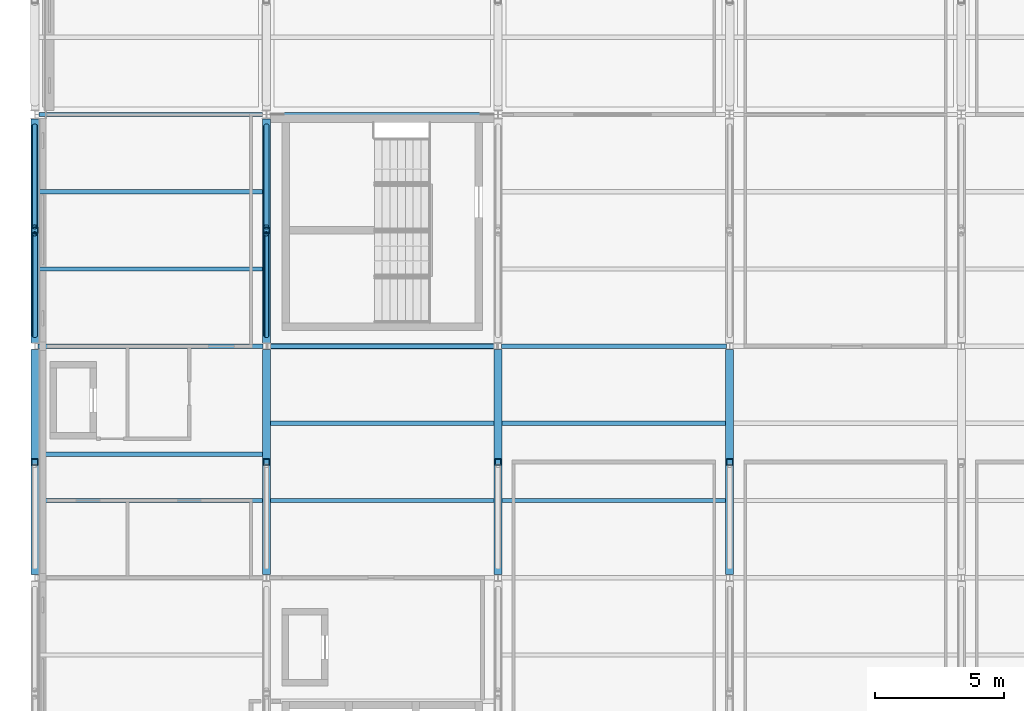
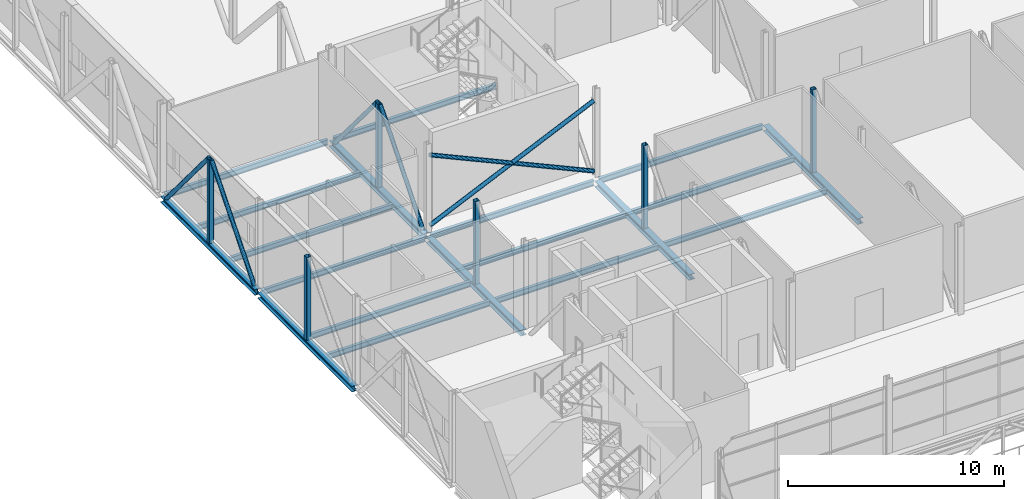
# One storey, part 57 of 94: 19 beams, 12 members.
"""IFC4 building model written with IfcOpenShell, lengths in metres."""

from ifc_helpers import new_model, si_unit, direction, frame, origin, origin_2d, place, context, subcontext, project, spatial, hollow_rectangle, hollow_circle, i_section, extrude, material, material_profile, profile_set, type_object, element, save


model = new_model("IFC4")

# Units and contexts
model_context = context("Model", 3, precision=1e-05, world=origin(), true_north=direction((0.0, 1.0)))
body_context = subcontext(model_context, "Body", "Model", "MODEL_VIEW")
ifc_project = project(units=[si_unit("LENGTHUNIT", "METRE"), si_unit("AREAUNIT", "SQUARE_METRE"), si_unit("VOLUMEUNIT", "CUBIC_METRE"), si_unit("PLANEANGLEUNIT", "RADIAN"), si_unit("MASSUNIT", "GRAM", prefix="KILO")], contexts=[model_context])

# Site, building, storey
site_placement = place(None, origin())
site = spatial("IfcSite", under=ifc_project, at=site_placement, CompositionType="ELEMENT")
building_placement = place(site_placement, origin())
building = spatial("IfcBuilding", under=site, at=building_placement, Name="Shorebreak Coast Museum", CompositionType="ELEMENT")
storey_placement = place(building_placement, frame((0.0, 0.0, 31.0)))
storey = spatial("IfcBuildingStorey", under=building, at=storey_placement, Name="L05", CompositionType="ELEMENT", Elevation=31.0)

# Beams
ifc_material_1 = material(Name="Steel Grade 300", Category="steel")
ifc_material_profile_1 = material_profile(ifc_material_1, i_section(OverallWidth=0.166015625, OverallDepth=0.30712890625, WebThickness=0.006591796875, FlangeThickness=0.01171875, FilletRadius=0.011474609375, at=origin_2d()), Name="310UB46.2")
ifc_profile_set_1 = profile_set([ifc_material_profile_1], Name="Steel Grade 300")
beam_type_1 = type_object("IfcBeamType", Name="Floor girder east-west 310UB46.2", PredefinedType="BEAM", material=ifc_profile_set_1)
for number, where, z_axis, x_axis, name in (
    (1, (54.1279296875, 108.0, -0.32861328125), (1.0, 0.0, 0.0), (0.0, 1.0, 0.0), "Floor girder east-west L05 7N"),
    (2, (63.1279296875, 108.0, -0.32861328125), (1.0, 0.0, 0.0), (0.0, 1.0, 0.0), "Floor girder east-west L05 8N"),
    (3, (72.1279296875, 108.0, -0.32861328125), (1.0, 0.0, 0.0), (0.0, 1.0, 0.0), "Floor girder east-west L05 9N"),
):
    element("IfcBeam", number, at=place(storey_placement, frame(where, z_axis=z_axis, x_axis=x_axis)), inside=storey, type_object=beam_type_1, Name=name, PredefinedType="BEAM", context=body_context, shape_type="SweptSolid", body=[
        extrude(i_section(OverallWidth=0.166015625, OverallDepth=0.30712890625, WebThickness=0.006591796875, FlangeThickness=0.01171875, FilletRadius=0.011474609375, at=origin_2d()), origin(), (0.0, 0.0, 1.0), 8.744140625),
    ])
for number, where, z_axis, x_axis, name in (
    (4, (54.155517578125, 117.0, -0.32861328125), (1.0, 0.0, 0.0), (0.0, 1.0, 0.0), "Floor girder east-west L05 7P"),
    (5, (63.155517578125, 117.0, -0.32861328125), (1.0, 0.0, 0.0), (0.0, 1.0, 0.0), "Floor girder east-west L05 8P"),
):
    element("IfcBeam", number, at=place(storey_placement, frame(where, z_axis=z_axis, x_axis=x_axis)), inside=storey, type_object=beam_type_1, Name=name, PredefinedType="BEAM", context=body_context, shape_type="SweptSolid", body=[
        extrude(i_section(OverallWidth=0.166015625, OverallDepth=0.30712890625, WebThickness=0.006591796875, FlangeThickness=0.01171875, FilletRadius=0.011474609375, at=origin_2d()), origin(), (0.0, 0.0, 1.0), 8.68896484375),
    ])
ifc_material_2 = material(Name="Steel Grade 300", Category="steel")
ifc_material_profile_2 = material_profile(ifc_material_2, i_section(OverallWidth=0.1650390625, OverallDepth=0.303955078125, WebThickness=0.006103515625, FlangeThickness=0.01025390625, FilletRadius=0.011474609375, at=origin_2d()), Name="310UB40.4")
ifc_profile_set_2 = profile_set([ifc_material_profile_2], Name="Steel Grade 300")
beam_type_2 = type_object("IfcBeamType", Name="Floor joist 310UB40.4", PredefinedType="JOIST", material=ifc_profile_set_2)
for number, where, z_axis, x_axis, name in (
    (6, (54.155517578125, 102.0, -0.326904296875), (1.0, 0.0, 0.0), (0.0, 1.0, 0.0), "Floor joist L05 bay 7M at 3000 mm"),
    (7, (54.155517578125, 103.800048828125, -0.326904296875), (1.0, 0.0, 0.0), (0.0, 1.0, 0.0), "Floor joist L05 bay 7M at 4800 mm"),
    (8, (63.155517578125, 102.0, -0.326904296875), (1.0, 0.0, 0.0), (0.0, 1.0, 0.0), "Floor joist L05 bay 8M at 3000 mm"),
    (9, (63.155517578125, 105.0, -0.326904296875), (1.0, 0.0, 0.0), (0.0, 1.0, 0.0), "Floor joist L05 bay 8M at 6000 mm"),
    (10, (72.155517578125, 102.0, -0.326904296875), (1.0, 0.0, 0.0), (0.0, 1.0, 0.0), "Floor joist L05 bay 9M at 3000 mm"),
    (11, (72.155517578125, 105.0, -0.326904296875), (1.0, 0.0, 0.0), (0.0, 1.0, 0.0), "Floor joist L05 bay 9M at 6000 mm"),
    (12, (54.155517578125, 111.0, -0.326904296875), (1.0, 0.0, 0.0), (0.0, 1.0, 0.0), "Floor joist L05 bay 7N at 3000 mm"),
    (13, (54.155517578125, 114.0, -0.326904296875), (1.0, 0.0, 0.0), (0.0, 1.0, 0.0), "Floor joist L05 bay 7N at 6000 mm"),
):
    element("IfcBeam", number, at=place(storey_placement, frame(where, z_axis=z_axis, x_axis=x_axis)), inside=storey, type_object=beam_type_2, Name=name, PredefinedType="JOIST", context=body_context, shape_type="SweptSolid", body=[
        extrude(i_section(OverallWidth=0.1650390625, OverallDepth=0.303955078125, WebThickness=0.006103515625, FlangeThickness=0.01025390625, FilletRadius=0.011474609375, at=origin_2d()), origin(), (0.0, 0.0, 1.0), 8.68896484375),
    ])
ifc_material_3 = material(Name="Steel Grade 300", Category="steel")
ifc_material_profile_3 = material_profile(ifc_material_3, i_section(OverallWidth=0.31103515625, OverallDepth=0.3271484375, WebThickness=0.015625, FlangeThickness=0.02490234375, FilletRadius=0.0166015625, at=origin_2d()), Name="310UC158")
ifc_profile_set_3 = profile_set([ifc_material_profile_3], Name="Steel Grade 300")
beam_type_3 = type_object("IfcBeamType", Name="Transfer truss chord 310UC158", PredefinedType="BEAM", material=ifc_profile_set_3)
beam_1_placement = place(storey_placement, frame((54.0, 99.1298828125, -0.338623046875), z_axis=(0.0, 1.0, 0.0), x_axis=(-1.0, 0.0, 0.0)))
element("IfcBeam", 14, at=beam_1_placement, inside=storey, type_object=beam_type_3, Name="Transfer truss TR1 chord C02", PredefinedType="BEAM", context=body_context, shape_type="SweptSolid", body=[
    extrude(i_section(OverallWidth=0.31103515625, OverallDepth=0.3271484375, WebThickness=0.015625, FlangeThickness=0.02490234375, FilletRadius=0.0166015625, at=origin_2d()), origin(), (0.0, 0.0, 1.0), 8.740234375),
])
beam_2_placement = place(storey_placement, frame((54.0, 108.1298828125, -0.338623046875), z_axis=(0.0, 1.0, 0.0), x_axis=(-1.0, 0.0, 0.0)))
element("IfcBeam", 15, at=beam_2_placement, inside=storey, type_object=beam_type_3, Name="Transfer truss TR1 chord C03", PredefinedType="BEAM", context=body_context, shape_type="SweptSolid", body=[
    extrude(i_section(OverallWidth=0.31103515625, OverallDepth=0.3271484375, WebThickness=0.015625, FlangeThickness=0.02490234375, FilletRadius=0.0166015625, at=origin_2d()), origin(), (0.0, 0.0, 1.0), 8.70654296875),
])
beam_3_placement = place(storey_placement, frame((63.0, 99.1298828125, -0.338623046875), z_axis=(0.0, 1.0, 0.0), x_axis=(-1.0, 0.0, 0.0)))
element("IfcBeam", 16, at=beam_3_placement, inside=storey, type_object=beam_type_3, Name="Transfer truss TR2 chord C02", PredefinedType="BEAM", context=body_context, shape_type="SweptSolid", body=[
    extrude(i_section(OverallWidth=0.31103515625, OverallDepth=0.3271484375, WebThickness=0.015625, FlangeThickness=0.02490234375, FilletRadius=0.0166015625, at=origin_2d()), origin(), (0.0, 0.0, 1.0), 8.740234375),
])
beam_4_placement = place(storey_placement, frame((63.0, 108.1298828125, -0.338623046875), z_axis=(0.0, 1.0, 0.0), x_axis=(-1.0, 0.0, 0.0)))
element("IfcBeam", 17, at=beam_4_placement, inside=storey, type_object=beam_type_3, Name="Transfer truss TR2 chord C03", PredefinedType="BEAM", context=body_context, shape_type="SweptSolid", body=[
    extrude(i_section(OverallWidth=0.31103515625, OverallDepth=0.3271484375, WebThickness=0.015625, FlangeThickness=0.02490234375, FilletRadius=0.0166015625, at=origin_2d()), origin(), (0.0, 0.0, 1.0), 8.70654296875),
])
for number, where, z_axis, x_axis, name in (
    (18, (72.0, 99.1298828125, -0.338623046875), (0.0, 1.0, 0.0), (-1.0, 0.0, 0.0), "Transfer truss TR3 chord C02"),
    (19, (81.0, 99.1298828125, -0.338623046875), (0.0, 1.0, 0.0), (-1.0, 0.0, 0.0), "Transfer truss TR4 chord C02"),
):
    element("IfcBeam", number, at=place(storey_placement, frame(where, z_axis=z_axis, x_axis=x_axis)), inside=storey, type_object=beam_type_3, Name=name, PredefinedType="BEAM", context=body_context, shape_type="SweptSolid", body=[
        extrude(i_section(OverallWidth=0.31103515625, OverallDepth=0.3271484375, WebThickness=0.015625, FlangeThickness=0.02490234375, FilletRadius=0.0166015625, at=origin_2d()), origin(), (0.0, 0.0, 1.0), 8.740234375),
    ])

# Members
ifc_material_4 = material(Name="Steel Grade C350L0", Category="steel")
ifc_material_profile_4 = material_profile(ifc_material_4, hollow_circle(Radius=0.109619140625, WallThickness=0.00830078125, at=origin_2d()), Name="219.1x8.2 CHS")
ifc_profile_set_4 = profile_set([ifc_material_profile_4], Name="Steel Grade C350L0")
member_type_1 = type_object("IfcMemberType", Name="Transfer truss diagonal 219.1x8.2 CHS", PredefinedType="BRACE", material=ifc_profile_set_4)
member_1_placement = place(storey_placement, frame((54.0, 108.41796875, -0.175048828125), z_axis=(0.0, 0.644727508452, 0.764412480174), x_axis=(-1.0, 0.0, 0.0)))
element("IfcMember", 20, at=member_1_placement, inside=storey, type_object=member_type_1, Name="Transfer truss TR1 diagonal D04", PredefinedType="BRACE", context=body_context, shape_type="SweptSolid", body=[
    extrude(hollow_circle(Radius=0.109619140625, WallThickness=0.00830078125, at=origin_2d()), origin(), (0.0, 0.0, 1.0), 6.12158203125),
])
member_2_placement = place(storey_placement, frame((54.0, 116.549560546875, -0.175048828125), z_axis=(0.0, -0.641729837353, 0.76693077644), x_axis=(1.0, 0.0, 0.0)))
element("IfcMember", 21, at=member_2_placement, inside=storey, type_object=member_type_1, Name="Transfer truss TR1 diagonal D05", PredefinedType="BRACE", context=body_context, shape_type="SweptSolid", body=[
    extrude(hollow_circle(Radius=0.109619140625, WallThickness=0.00830078125, at=origin_2d()), origin(), (0.0, 0.0, 1.0), 6.1015625),
])
member_3_placement = place(storey_placement, frame((63.0, 108.41796875, -0.175048828125), z_axis=(0.0, 0.644727508452, 0.764412480174), x_axis=(-1.0, 0.0, 0.0)))
element("IfcMember", 22, at=member_3_placement, inside=storey, type_object=member_type_1, Name="Transfer truss TR2 diagonal D04", PredefinedType="BRACE", context=body_context, shape_type="SweptSolid", body=[
    extrude(hollow_circle(Radius=0.109619140625, WallThickness=0.00830078125, at=origin_2d()), origin(), (0.0, 0.0, 1.0), 6.12158203125),
])
member_4_placement = place(storey_placement, frame((63.0, 116.549560546875, -0.175048828125), z_axis=(0.0, -0.641729837353, 0.76693077644), x_axis=(1.0, 0.0, 0.0)))
element("IfcMember", 23, at=member_4_placement, inside=storey, type_object=member_type_1, Name="Transfer truss TR2 diagonal D05", PredefinedType="BRACE", context=body_context, shape_type="SweptSolid", body=[
    extrude(hollow_circle(Radius=0.109619140625, WallThickness=0.00830078125, at=origin_2d()), origin(), (0.0, 0.0, 1.0), 6.1015625),
])
ifc_material_5 = material(Name="Steel Grade C450L0", Category="steel")
ifc_material_profile_5 = material_profile(ifc_material_5, hollow_rectangle(XDim=0.25, YDim=0.25, WallThickness=0.012451171875, InnerFilletRadius=0.018798828125, OuterFilletRadius=0.03125, at=origin_2d()), Name="250x250x12.5 SHS")
ifc_profile_set_5 = profile_set([ifc_material_profile_5], Name="Steel Grade C450L0")
member_type_2 = type_object("IfcMemberType", Name="Transfer truss strut 250x250x12.5 SHS", PredefinedType="STRUT", material=ifc_profile_set_5)
for number, where, z_axis, x_axis, name in (
    (24, (54.0, 103.5, -0.175048828125), (0.0, 0.0, 1.0), (1.0, 0.0, 0.0), "Transfer truss TR1 strut V02"),
    (25, (54.0, 112.5, -0.175048828125), (0.0, 0.0, 1.0), (1.0, 0.0, 0.0), "Transfer truss TR1 strut V03"),
    (26, (63.0, 103.5, -0.175048828125), (0.0, 0.0, 1.0), (1.0, 0.0, 0.0), "Transfer truss TR2 strut V02"),
    (27, (63.0, 112.5, -0.175048828125), (0.0, 0.0, 1.0), (1.0, 0.0, 0.0), "Transfer truss TR2 strut V03"),
    (28, (72.0, 103.5, -0.175048828125), (0.0, 0.0, 1.0), (1.0, 0.0, 0.0), "Transfer truss TR3 strut V02"),
    (29, (81.0, 103.5, -0.175048828125), (0.0, 0.0, 1.0), (1.0, 0.0, 0.0), "Transfer truss TR4 strut V02"),
):
    element("IfcMember", number, at=place(storey_placement, frame(where, z_axis=z_axis, x_axis=x_axis)), inside=storey, type_object=member_type_2, Name=name, PredefinedType="STRUT", context=body_context, shape_type="SweptSolid", body=[
        extrude(hollow_rectangle(XDim=0.25, YDim=0.25, WallThickness=0.012451171875, InnerFilletRadius=0.018798828125, OuterFilletRadius=0.03125, at=origin_2d()), origin(), (0.0, 0.0, 1.0), 4.679443359375),
    ])
ifc_material_6 = material(Name="Steel Grade C350L0", Category="steel")
ifc_material_profile_6 = material_profile(ifc_material_6, hollow_circle(Radius=0.109619140625, WallThickness=0.00830078125, at=origin_2d()), Name="219.1x8.2 CHS")
ifc_profile_set_6 = profile_set([ifc_material_profile_6], Name="Steel Grade C350L0")
member_type_3 = type_object("IfcMemberType", Name="X-brace 219.1x8.2 CHS", PredefinedType="BRACE", material=ifc_profile_set_6)
for number, where, z_axis, x_axis, name in (
    (30, (63.126953125, 108.0, 0.300048828125), (0.910391714608, 0.0, 0.413747418087), (0.0, 1.0, 0.0), "X-brace bay 09 L05 diagonal 1"),
    (31, (71.873046875, 108.0, 0.300048828125), (-0.910391714608, 0.0, 0.413747418087), (0.0, -1.0, 0.0), "X-brace bay 09 L05 diagonal 2"),
):
    element("IfcMember", number, at=place(storey_placement, frame(where, z_axis=z_axis, x_axis=x_axis)), inside=storey, type_object=member_type_3, Name=name, PredefinedType="BRACE", context=body_context, shape_type="SweptSolid", body=[
        extrude(hollow_circle(Radius=0.109619140625, WallThickness=0.00830078125, at=origin_2d()), origin(), (0.0, 0.0, 1.0), 9.60693359375),
    ])

save(model, "model.ifc")
